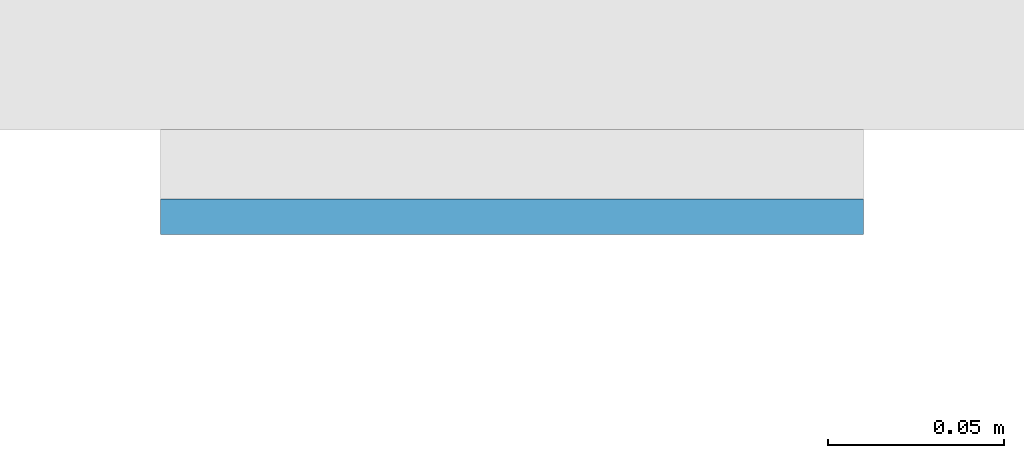
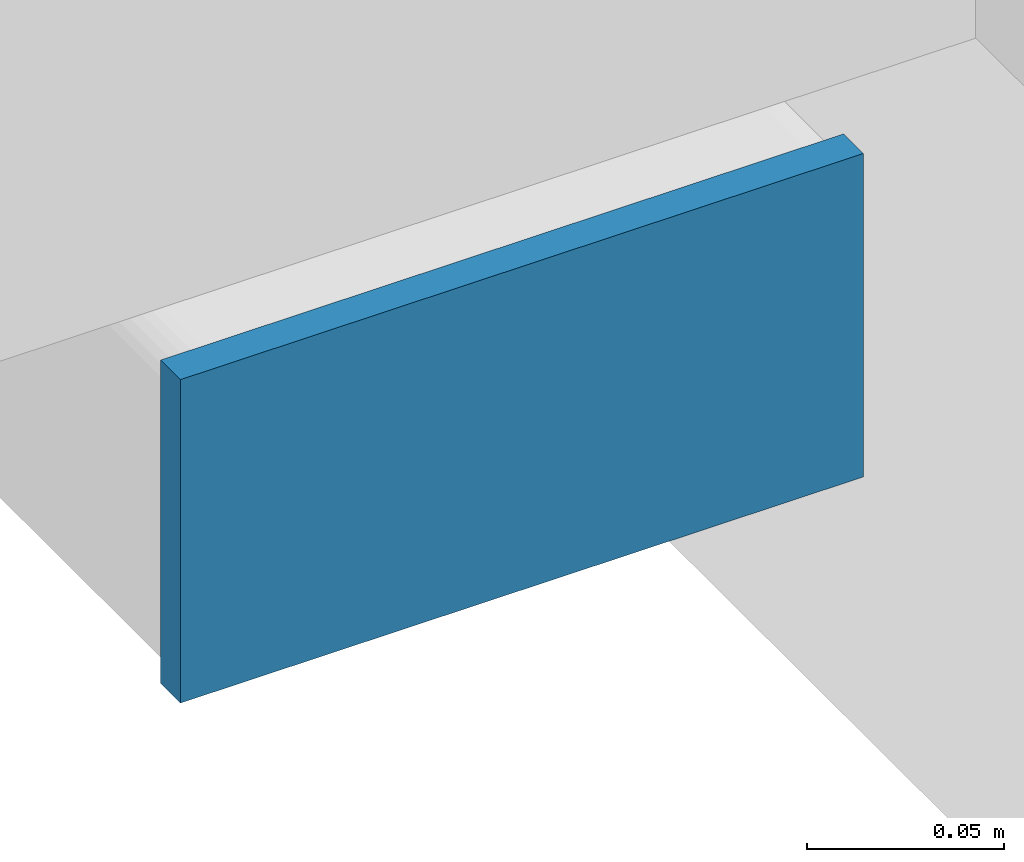
# One storey, part 8 of 20: 1 plate.
"""IFC4 building model written with IfcOpenShell, lengths in metres."""

from ifc_helpers import new_model, si_unit, direction, frame, origin, origin_2d, place, context, subcontext, project, spatial, rectangle, extrude, material, layer, layer_set, type_object, element, save


model = new_model("IFC4")

# Units and contexts
model_context = context("Model", 3, precision=1e-05, world=origin(), true_north=direction((0.0, 1.0)))
body_context = subcontext(model_context, "Body", "Model", "MODEL_VIEW")
ifc_project = project(units=[si_unit("LENGTHUNIT", "METRE"), si_unit("AREAUNIT", "SQUARE_METRE"), si_unit("VOLUMEUNIT", "CUBIC_METRE"), si_unit("PLANEANGLEUNIT", "RADIAN"), si_unit("MASSUNIT", "GRAM", prefix="KILO")], contexts=[model_context])

# Site, building, storey
site_placement = place(None, origin())
site = spatial("IfcSite", under=ifc_project, at=site_placement, CompositionType="ELEMENT")
building_placement = place(site_placement, origin())
building = spatial("IfcBuilding", under=site, at=building_placement, Name="Cleftline Residences", CompositionType="ELEMENT")
storey_placement = place(building_placement, frame((0.0, 0.0, 185.800048828125)))
storey = spatial("IfcBuildingStorey", under=building, at=storey_placement, Name="L48", CompositionType="ELEMENT", Elevation=185.800048828125)

# Plate
ifc_material = material(Name="Steel S355, hot-dip galvanised", Category="steel")
ifc_layer = layer(ifc_material, 0.010009765625)
ifc_layer_set = layer_set([ifc_layer], Name="BAGUETTE CARRIER END PLATE 200X100X10")
plate_type = type_object("IfcPlateType", Name="BAGUETTE CARRIER END PLATE 200X100X10", PredefinedType="USERDEFINED", material=ifc_layer_set)
plate_placement = place(storey_placement, frame((-0.85009765625, 3.695068359375, -0.10009765625), z_axis=(0.0, 0.0, 1.0), x_axis=(-1.0, 0.0, 0.0)))
element("IfcPlate", 1, at=plate_placement, inside=storey, type_object=plate_type, Name="Baguette carrier end plate", ObjectType="BAGUETTE CARRIER END PLATE", PredefinedType="USERDEFINED", context=body_context, shape_type="SweptSolid", body=[
    extrude(rectangle(XDim=0.199951171875, YDim=0.010009765625, at=origin_2d()), origin(), (0.0, 0.0, 1.0), 0.10009765625),
])

save(model, "model.ifc")
